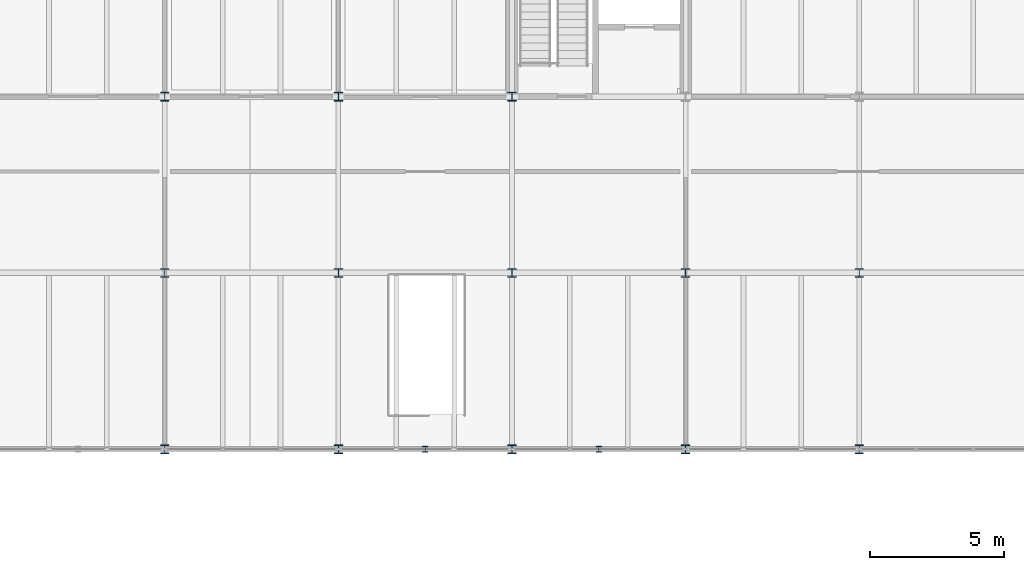
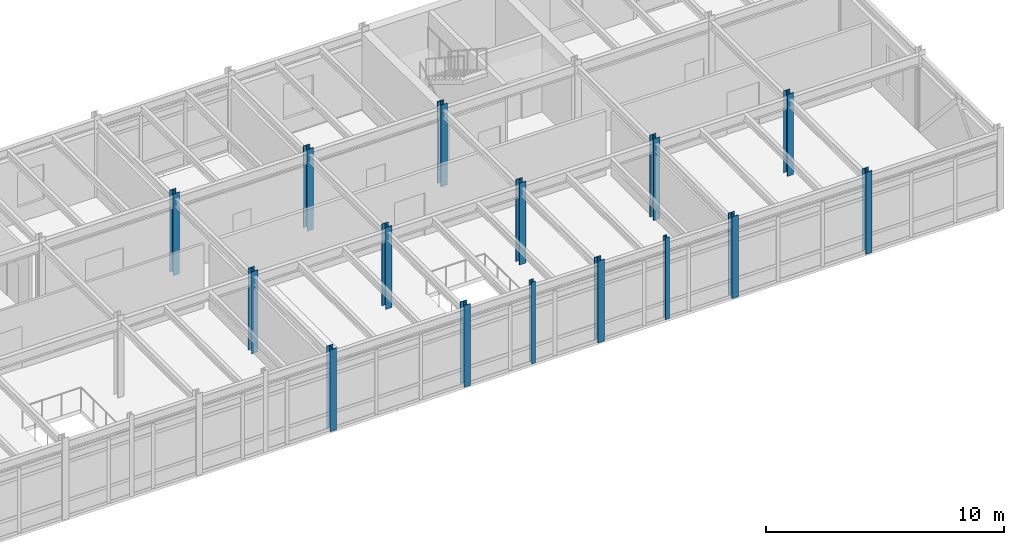
# One storey, part 17 of 144: 15 columns.
"""IFC4 building model written with IfcOpenShell, lengths in metres."""

from ifc_helpers import new_model, si_unit, direction, frame, origin, origin_2d, place, context, subcontext, project, spatial, i_section, extrude, material, material_profile, profile_set, type_object, element, save


model = new_model("IFC4")

# Units and contexts
model_context = context("Model", 3, precision=1e-05, world=origin(), true_north=direction((0.0, 1.0)))
body_context = subcontext(model_context, "Body", "Model", "MODEL_VIEW")
ifc_project = project(units=[si_unit("LENGTHUNIT", "METRE"), si_unit("AREAUNIT", "SQUARE_METRE"), si_unit("VOLUMEUNIT", "CUBIC_METRE"), si_unit("PLANEANGLEUNIT", "RADIAN"), si_unit("MASSUNIT", "GRAM", prefix="KILO")], contexts=[model_context])

# Site, building, storey
site_placement = place(None, origin())
site = spatial("IfcSite", under=ifc_project, at=site_placement, CompositionType="ELEMENT")
building_placement = place(site_placement, origin())
building = spatial("IfcBuilding", under=site, at=building_placement, Name="Trelmorton Wharf Fire Station", CompositionType="ELEMENT")
storey_placement = place(building_placement, frame((0.0, 0.0, 5.39990234375)))
storey = spatial("IfcBuildingStorey", under=building, at=storey_placement, Name="L01", CompositionType="ELEMENT", Elevation=5.39990234375)

# Columns
ifc_material = material(Name="Steel Grade 350", Category="steel")
ifc_material_profile_1 = material_profile(ifc_material, i_section(OverallWidth=0.31103515625, OverallDepth=0.326904296875, WebThickness=0.015625, FlangeThickness=0.02490234375, FilletRadius=0.0166015625, at=origin_2d()), Name="310UC158")
ifc_profile_set_1 = profile_set([ifc_material_profile_1], Name="Steel Grade 350")
column_type_1 = type_object("IfcColumnType", Name="COL_310UC158", PredefinedType="COLUMN", material=ifc_profile_set_1)
for number, where, z_axis, x_axis, name in (
    (1, (130.0, 7.800048828125, 0.0), (0.0, 0.0, 1.0), (1.0, 0.0, 0.0), "COL-L01-0413"),
    (2, (130.0, 14.39990234375, 0.0), (0.0, 0.0, 1.0), (1.0, 0.0, 0.0), "COL-L01-0414"),
    (3, (130.0, 21.0, 0.0), (0.0, 0.0, 1.0), (1.0, 0.0, 0.0), "COL-L01-0415"),
    (4, (136.5, 7.800048828125, 0.0), (0.0, 0.0, 1.0), (1.0, 0.0, 0.0), "COL-L01-0421"),
    (5, (136.5, 14.39990234375, 0.0), (0.0, 0.0, 1.0), (1.0, 0.0, 0.0), "COL-L01-0422"),
    (6, (136.5, 21.0, 0.0), (0.0, 0.0, 1.0), (1.0, 0.0, 0.0), "COL-L01-0423"),
    (7, (143.0, 7.800048828125, 0.0), (0.0, 0.0, 1.0), (1.0, 0.0, 0.0), "COL-L01-0429"),
    (8, (143.0, 14.39990234375, 0.0), (0.0, 0.0, 1.0), (1.0, 0.0, 0.0), "COL-L01-0430"),
    (9, (143.0, 21.0, 0.0), (0.0, 0.0, 1.0), (1.0, 0.0, 0.0), "COL-L01-0431"),
    (10, (149.5, 7.800048828125, 0.0), (0.0, 0.0, 1.0), (1.0, 0.0, 0.0), "COL-L01-0437"),
    (11, (149.5, 14.39990234375, 0.0), (0.0, 0.0, 1.0), (1.0, 0.0, 0.0), "COL-L01-0438"),
    (12, (156.0, 7.800048828125, 0.0), (0.0, 0.0, 1.0), (1.0, 0.0, 0.0), "COL-L01-0445"),
    (13, (156.0, 14.39990234375, 0.0), (0.0, 0.0, 1.0), (1.0, 0.0, 0.0), "COL-L01-0446"),
):
    element("IfcColumn", number, at=place(storey_placement, frame(where, z_axis=z_axis, x_axis=x_axis)), inside=storey, type_object=column_type_1, Name=name, PredefinedType="COLUMN", context=body_context, shape_type="SweptSolid", body=[
        extrude(i_section(OverallWidth=0.31103515625, OverallDepth=0.326904296875, WebThickness=0.015625, FlangeThickness=0.02490234375, FilletRadius=0.0166015625, at=origin_2d()), origin(), (0.0, 0.0, 1.0), 4.2001953125),
    ])
ifc_material_profile_2 = material_profile(ifc_material, i_section(OverallWidth=0.205078125, OverallDepth=0.2099609375, WebThickness=0.00927734375, FlangeThickness=0.01416015625, FilletRadius=0.011474609375, at=origin_2d()), Name="200UC59.5")
ifc_profile_set_2 = profile_set([ifc_material_profile_2], Name="Steel Grade 350")
column_type_2 = type_object("IfcColumnType", Name="PIL_200UC60", PredefinedType="PILASTER", material=ifc_profile_set_2)
for number, where, z_axis, x_axis, name in (
    (14, (139.75, 7.800048828125, 0.0), (0.0, 0.0, 1.0), (1.0, 0.0, 0.0), "PIL-S-L01-021"),
    (15, (146.25, 7.800048828125, 0.0), (0.0, 0.0, 1.0), (1.0, 0.0, 0.0), "PIL-S-L01-029"),
):
    element("IfcColumn", number, at=place(storey_placement, frame(where, z_axis=z_axis, x_axis=x_axis)), inside=storey, type_object=column_type_2, Name=name, PredefinedType="PILASTER", context=body_context, shape_type="SweptSolid", body=[
        extrude(i_section(OverallWidth=0.205078125, OverallDepth=0.2099609375, WebThickness=0.00927734375, FlangeThickness=0.01416015625, FilletRadius=0.011474609375, at=origin_2d()), origin(), (0.0, 0.0, 1.0), 4.2001953125),
    ])

save(model, "model.ifc")
